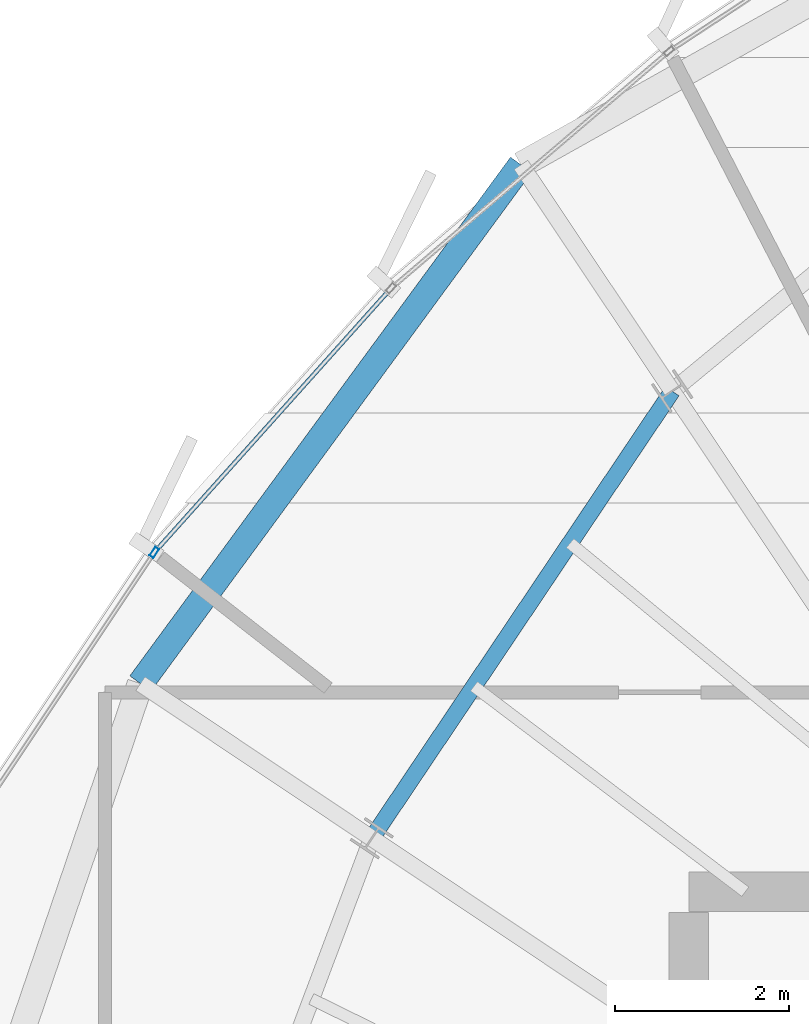
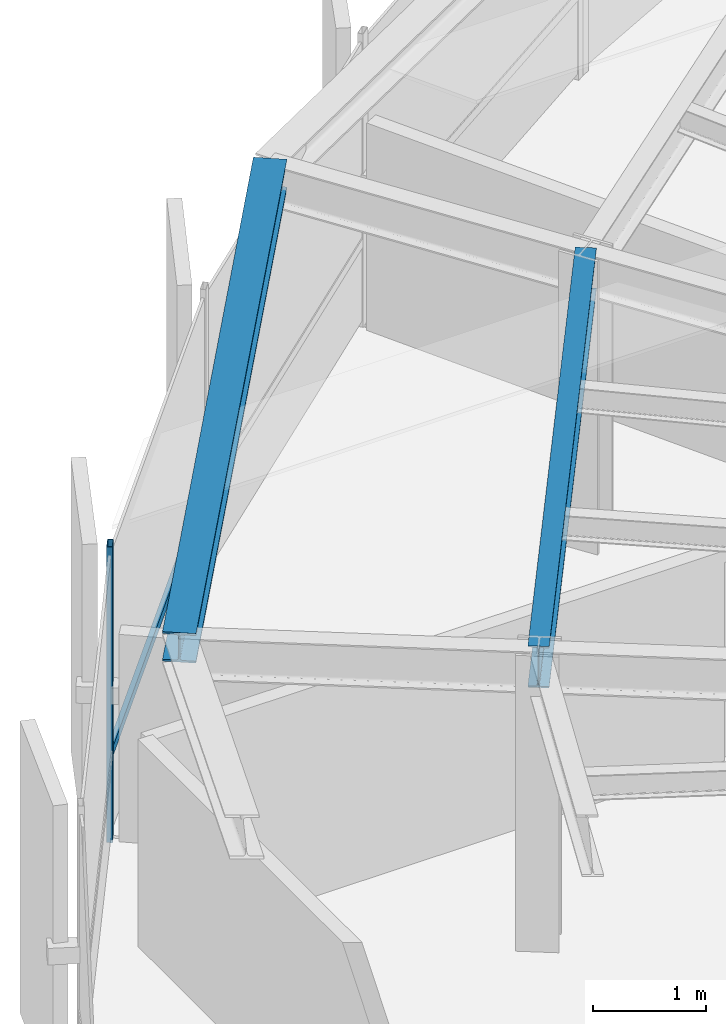
# One storey, part 19 of 35: 2 beams, 2 members, 1 element without a shape of its own.
"""IFC4 building model written with IfcOpenShell, lengths in metres."""

from ifc_helpers import new_model, si_unit, direction, frame, origin, origin_2d, place, context, subcontext, project, spatial, hollow_rectangle, i_section, extrude, source, transform, mapped, material, layer, layer_set, material_profile, profile_set, type_object, element, aggregate, save


model = new_model("IFC4")

# Units and contexts
model_context = context("Model", 3, precision=1e-05, world=origin(), true_north=direction((0.0, 1.0)))
body_context = subcontext(model_context, "Body", "Model", "MODEL_VIEW")
ifc_project = project(units=[si_unit("LENGTHUNIT", "METRE"), si_unit("AREAUNIT", "SQUARE_METRE"), si_unit("VOLUMEUNIT", "CUBIC_METRE"), si_unit("PLANEANGLEUNIT", "RADIAN"), si_unit("MASSUNIT", "GRAM", prefix="KILO"), si_unit("THERMODYNAMICTEMPERATUREUNIT", "KELVIN")], contexts=[model_context])

# Site, building, storey
site_placement = place(None, origin())
site = spatial("IfcSite", under=ifc_project, at=site_placement, CompositionType="ELEMENT")
building_placement = place(site_placement, origin())
building = spatial("IfcBuilding", under=site, at=building_placement, Name="Kethvar Cultural Tower", CompositionType="ELEMENT")
storey_placement = place(building_placement, frame((0.0, 0.0, 245.64990234375)))
storey = spatial("IfcBuildingStorey", under=building, at=storey_placement, Name="L64", CompositionType="ELEMENT", Elevation=245.64990234375)

# Beams
ifc_material_1 = material(Name="Steel S355J2", Category="steel")
ifc_material_profile_1 = material_profile(ifc_material_1, i_section(OverallWidth=0.18994140625, OverallDepth=0.449951171875, WebThickness=0.009521484375, FlangeThickness=0.0146484375, FilletRadius=0.02099609375, at=origin_2d()), Name="Steel S355J2 — IPE450")
ifc_profile_set_1 = profile_set([ifc_material_profile_1], Name="Steel S355J2 — IPE450")
beam_type_1 = type_object("IfcBeamType", Name="BM-IPE450", PredefinedType="BEAM", material=ifc_profile_set_1)
shared_shape_1 = source(origin(), body_context, "Body", "SweptSolid", [
    extrude(i_section(OverallWidth=0.18994140625, OverallDepth=0.449951171875, WebThickness=0.009521484375, FlangeThickness=0.0146484375, FilletRadius=0.02099609375, at=origin_2d()), origin(), (0.0, 0.0, 1.0), 6.192626953125),
])
beam_1_placement = place(storey_placement, frame((37.8095703125, 41.255126953125, 2.983154296875), z_axis=(-0.557698912025, -0.830043326295, 0.0), x_axis=(0.830043326295, -0.557698912025, 0.0)))
element("IfcBeam", 1, at=beam_1_placement, inside=storey, type_object=beam_type_1, Name="L64 Column Ring Tie Beam CR-06", PredefinedType="BEAM", context=body_context, shape_type="MappedRepresentation", body=[
    mapped(shared_shape_1, transform((0.0, 0.0, 0.0), scale=1.0)),
])
ifc_material_profile_2 = material_profile(ifc_material_1, i_section(OverallWidth=0.300048828125, OverallDepth=0.320068359375, WebThickness=0.011474609375, FlangeThickness=0.0205078125, FilletRadius=0.027099609375, at=origin_2d()), Name="Steel S355J2 — HEB320")
ifc_profile_set_2 = profile_set([ifc_material_profile_2], Name="Steel S355J2 — HEB320")
beam_type_2 = type_object("IfcBeamType", Name="BM-SP320", PredefinedType="SPANDREL", material=ifc_profile_set_2)
shared_shape_2 = source(origin(), body_context, "Body", "SweptSolid", [
    extrude(i_section(OverallWidth=0.300048828125, OverallDepth=0.320068359375, WebThickness=0.011474609375, FlangeThickness=0.0205078125, FilletRadius=0.027099609375, at=origin_2d()), origin(), (0.0, 0.0, 1.0), 7.39697265625),
])
beam_2_placement = place(storey_placement, frame((36.071533203125, 43.856201171875, 3.048095703125), z_axis=(-0.591618327489, -0.806218180506, 0.0), x_axis=(0.806218180506, -0.591618327489, 0.0)))
element("IfcBeam", 2, at=beam_2_placement, inside=storey, type_object=beam_type_2, Name="L64 Perimeter Spandrel Beam SP-06", PredefinedType="SPANDREL", context=body_context, shape_type="MappedRepresentation", body=[
    mapped(shared_shape_2, transform((0.0, 0.0, 0.0), scale=1.0)),
])

# Curtain wall, members
ifc_material_2 = material(Name="Aluminium 6063-T6", Category="aluminium")
ifc_layer = layer(ifc_material_2, 0.179931640625, Name="Aluminium 6063-T6", Category="aluminium")
ifc_layer_set = layer_set([ifc_layer], Name="Aluminium 6063-T6 (180 mm)")
curtain_wall_type = type_object("IfcCurtainWallType", Name="CW-SYS-05-Z56", PredefinedType="NOTDEFINED", material=ifc_layer_set)
curtain_wall_placement = place(storey_placement, origin())
curtain_wall = element("IfcCurtainWall", 3, at=curtain_wall_placement, inside=storey, type_object=curtain_wall_type, Name="L64 Curtain Wall Run 02", PredefinedType="NOTDEFINED")
ifc_material_profile_3 = material_profile(ifc_material_2, hollow_rectangle(XDim=0.054931640625, YDim=0.1201171875, WallThickness=0.00390625, at=origin_2d()), Name="Aluminium 6063-T6 — RHS120x55x4")
ifc_profile_set_3 = profile_set([ifc_material_profile_3], Name="Aluminium 6063-T6 — RHS120x55x4")
member_type_1 = type_object("IfcMemberType", Name="CW-SYS-05-Z56-MUL", PredefinedType="MULLION", material=ifc_profile_set_3)
shared_shape_3 = source(origin(), body_context, "Body", "SweptSolid", [
    extrude(hollow_rectangle(XDim=0.054931640625, YDim=0.1201171875, WallThickness=0.00390625, at=origin_2d()), origin(), (0.0, 0.0, 1.0), 3.210205078125),
])
member_1_placement = place(storey_placement, frame((31.855712890625, 39.40087890625, 0.0), z_axis=(0.0, 0.0, 1.0), x_axis=(0.831983172576, -0.554800865671, 0.0)))
member_1 = element("IfcMember", 4, at=member_1_placement, type_object=member_type_1, Name="CW-L64-R02 Mullion 4", PredefinedType="MULLION", context=body_context, shape_type="MappedRepresentation", body=[
    mapped(shared_shape_3, transform((0.0, 0.0, 0.0), scale=1.0)),
])
ifc_material_profile_4 = material_profile(ifc_material_2, hollow_rectangle(XDim=0.050048828125, YDim=0.10009765625, WallThickness=0.00390625, at=origin_2d()), Name="Aluminium 6063-T6 — RHS100x50x4")
ifc_profile_set_4 = profile_set([ifc_material_profile_4], Name="Aluminium 6063-T6 — RHS100x50x4")
member_type_2 = type_object("IfcMemberType", Name="CW-SYS-05-Z56-TRN", PredefinedType="USERDEFINED", material=ifc_profile_set_4)
shared_shape_4 = source(origin(), body_context, "Body", "SweptSolid", [
    extrude(hollow_rectangle(XDim=0.050048828125, YDim=0.10009765625, WallThickness=0.00390625, at=origin_2d()), origin(), (0.0, 0.0, 1.0), 4.010009765625),
])
member_2_placement = place(storey_placement, frame((34.548828125, 42.406005859375, 0.9501953125), z_axis=(-0.667227210581, -0.744854247125, 0.0), x_axis=(0.744854247125, -0.667227210581, 0.0)))
member_2 = element("IfcMember", 5, at=member_2_placement, type_object=member_type_2, Name="CW-L64-R02 Transom 3", ObjectType="TRANSOM", PredefinedType="USERDEFINED", context=body_context, shape_type="MappedRepresentation", body=[
    mapped(shared_shape_4, transform((0.0, 0.0, 0.0), scale=1.0)),
])
aggregate(curtain_wall, [member_1, member_2])

save(model, "model.ifc")
